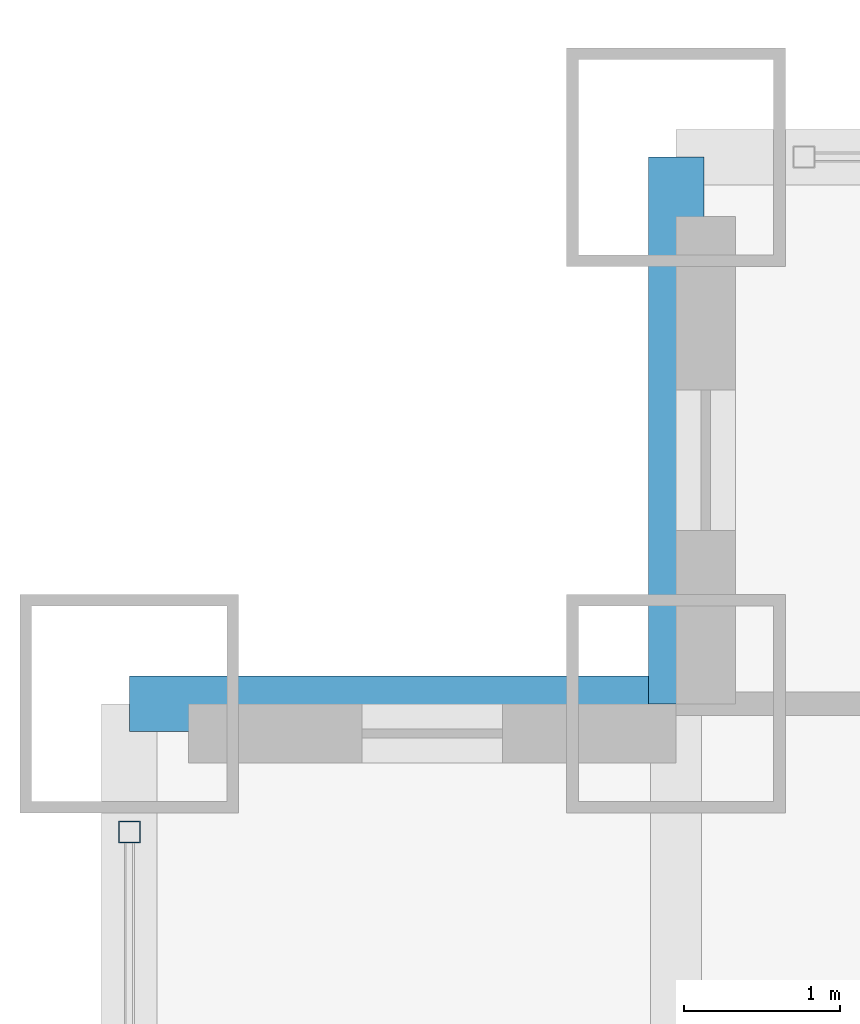
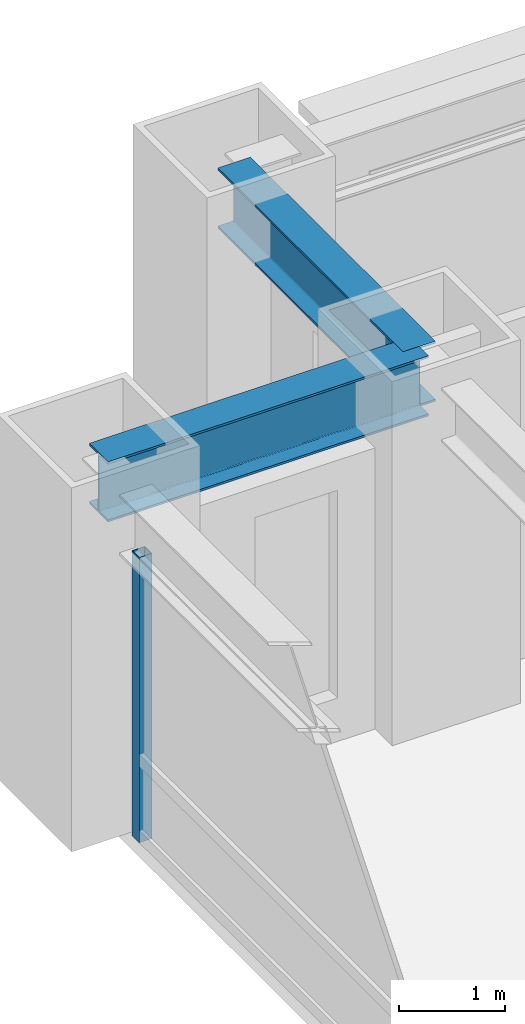
# One storey, part 10 of 32: 2 beams, 1 member, 1 element without a shape of its own.
"""IFC4 building model written with IfcOpenShell, lengths in metres."""

from ifc_helpers import new_model, si_unit, direction, frame, origin, origin_2d, place, context, subcontext, project, spatial, hollow_rectangle, i_section, extrude, source, transform, mapped, material, material_profile, profile_set, type_object, element, aggregate, save


model = new_model("IFC4")

# Units and contexts
model_context = context("Model", 3, precision=1e-05, world=origin(), true_north=direction((0.0, 1.0)))
body_context = subcontext(model_context, "Body", "Model", "MODEL_VIEW")
ifc_project = project(units=[si_unit("LENGTHUNIT", "METRE"), si_unit("AREAUNIT", "SQUARE_METRE"), si_unit("VOLUMEUNIT", "CUBIC_METRE"), si_unit("PLANEANGLEUNIT", "RADIAN"), si_unit("MASSUNIT", "GRAM", prefix="KILO")], contexts=[model_context])

# Site, building, storey
site_placement = place(None, origin())
site = spatial("IfcSite", under=ifc_project, at=site_placement, CompositionType="ELEMENT")
building_placement = place(site_placement, origin())
building = spatial("IfcBuilding", under=site, at=building_placement, Name="Khorayat Bourse Tower", CompositionType="ELEMENT")
storey_placement = place(building_placement, frame((0.0, 0.0, 70.39990234375)))
storey = spatial("IfcBuildingStorey", under=building, at=storey_placement, Name="L15", CompositionType="ELEMENT", Elevation=70.39990234375)

# Beams
ifc_material_1 = material(Name="Steel ASTM A992 Grade 50", Category="steel")
ifc_material_profile_1 = material_profile(ifc_material_1, i_section(OverallWidth=0.35498046875, OverallDepth=0.695068359375, WebThickness=0.015380859375, FlangeThickness=0.02490234375, FilletRadius=0.01806640625, at=origin_2d()), Name="W690X217")
ifc_profile_set_1 = profile_set([ifc_material_profile_1], Name="Steel ASTM A992 Grade 50")
beam_type = type_object("IfcBeamType", Name="BM-SPAN-690", PredefinedType="SPANDREL", material=ifc_profile_set_1)
shared_shape_1 = source(origin(), body_context, "Body", "SweptSolid", [
    extrude(i_section(OverallWidth=0.35498046875, OverallDepth=0.695068359375, WebThickness=0.015380859375, FlangeThickness=0.02490234375, FilletRadius=0.01806640625, at=origin_2d()), origin(), (0.0, 0.0, 1.0), 3.5),
])
for number, where, z_axis, x_axis, name in (
    (1, (-28.5, 28.5, 3.592529296875), (0.0, 1.0, 0.0), (-1.0, 0.0, 0.0), "L15 BM-SPAN-690 BM-L15-SPN-052"),
    (2, (-32.0, 28.5, 3.592529296875), (1.0, 0.0, 0.0), (0.0, 1.0, 0.0), "L15 BM-SPAN-690 BM-L15-SPN-053"),
):
    element("IfcBeam", number, at=place(storey_placement, frame(where, z_axis=z_axis, x_axis=x_axis)), inside=storey, type_object=beam_type, Name=name, PredefinedType="SPANDREL", context=body_context, shape_type="MappedRepresentation", body=[
        mapped(shared_shape_1, transform((0.0, 0.0, 0.0), scale=1.0)),
    ])

# Curtain wall, member
ifc_material_2 = material(Name="Aluminium EN AW-6063 T6", Category="aluminium")
curtain_wall_type = type_object("IfcCurtainWallType", Name="CW-SYS-02", PredefinedType="NOTDEFINED", material=ifc_material_2)
curtain_wall_placement = place(storey_placement, origin())
curtain_wall = element("IfcCurtainWall", 3, at=curtain_wall_placement, inside=storey, type_object=curtain_wall_type, Name="L15 Curtain Wall CW-L15-W1", PredefinedType="NOTDEFINED")
ifc_material_profile_2 = material_profile(ifc_material_2, hollow_rectangle(XDim=0.139892578125, YDim=0.139892578125, WallThickness=0.006103515625, at=origin_2d()), Name="ALU 140x140x6")
ifc_profile_set_2 = profile_set([ifc_material_profile_2], Name="Aluminium EN AW-6063 T6")
member_type = type_object("IfcMemberType", Name="CWM-VERT-140", PredefinedType="MULLION", material=ifc_profile_set_2)
shared_shape_2 = source(origin(), body_context, "Body", "SweptSolid", [
    extrude(hollow_rectangle(XDim=0.139892578125, YDim=0.139892578125, WallThickness=0.006103515625, at=origin_2d()), origin(), (0.0, 0.0, 1.0), 3.2900390625),
])
member_placement = place(storey_placement, frame((-32.0, 27.679931640625, 0.0), z_axis=(0.0, 0.0, 1.0), x_axis=(-1.0, 0.0, 0.0)))
member = element("IfcMember", 4, at=member_placement, type_object=member_type, Name="CW-L15-W1 Vertical Mullion 3", PredefinedType="MULLION", context=body_context, shape_type="MappedRepresentation", body=[
    mapped(shared_shape_2, transform((0.0, 0.0, 0.0), scale=1.0)),
])
aggregate(curtain_wall, [member])

save(model, "model.ifc")
